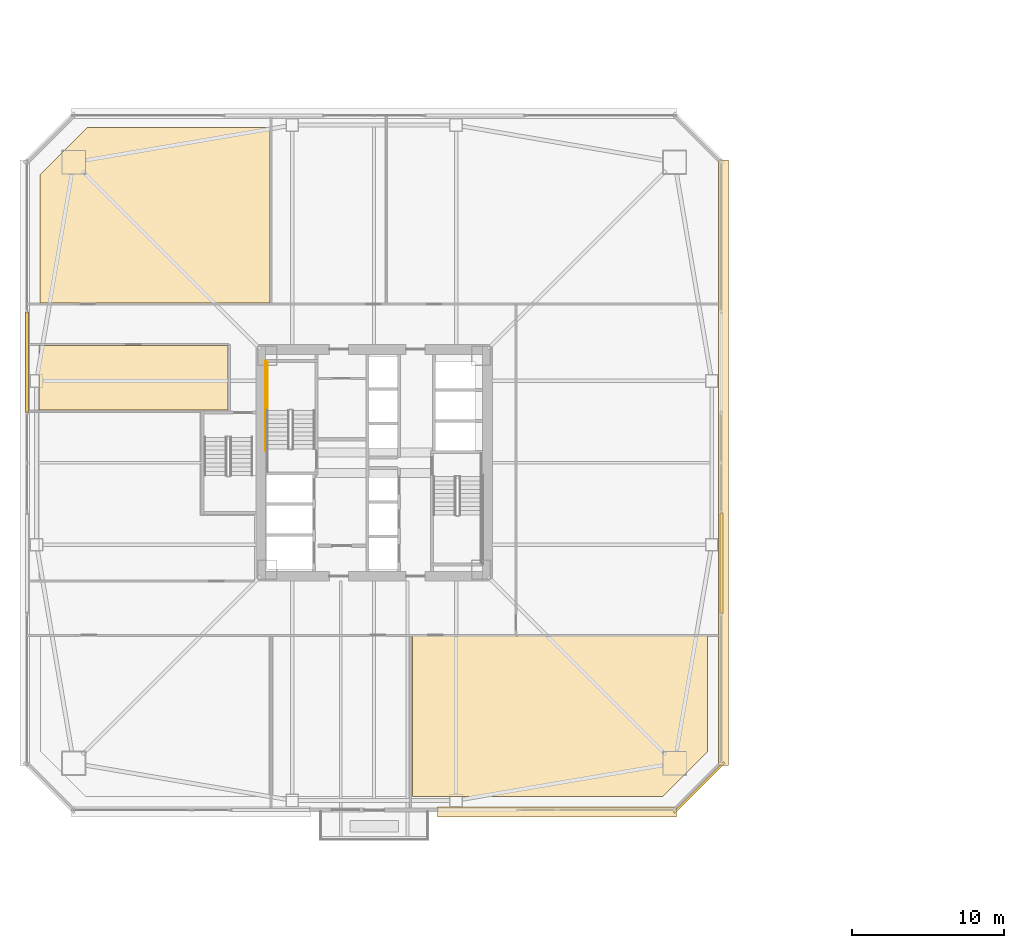
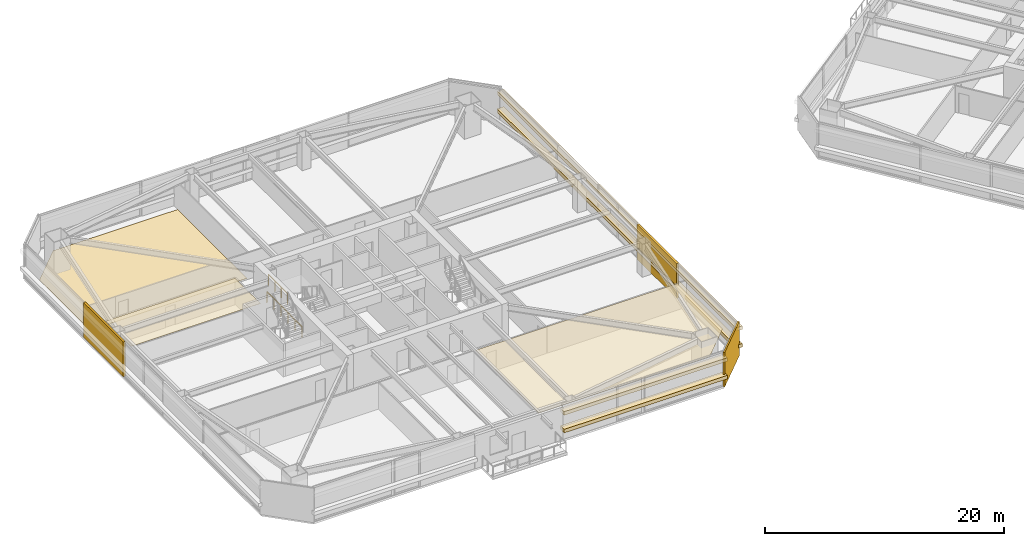
# One storey, part 40 of 45: 10 coverings, 2 railings.
"""IFC4 building model written with IfcOpenShell, lengths in metres."""

from ifc_helpers import new_model, si_unit, direction, frame, origin, origin_2d, place, context, subcontext, project, spatial, polyline, rectangle, outline, extrude, material, layer, layer_set, type_object, element, save


model = new_model("IFC4")

# Units and contexts
model_context = context("Model", 3, precision=1e-05, world=origin(), true_north=direction((0.0, 1.0)))
body_context = subcontext(model_context, "Body", "Model", "MODEL_VIEW")
ifc_project = project(units=[si_unit("LENGTHUNIT", "METRE"), si_unit("AREAUNIT", "SQUARE_METRE"), si_unit("VOLUMEUNIT", "CUBIC_METRE"), si_unit("PLANEANGLEUNIT", "RADIAN"), si_unit("MASSUNIT", "GRAM", prefix="KILO")], contexts=[model_context])

# Site, building, storey
site_placement = place(None, origin())
site = spatial("IfcSite", under=ifc_project, at=site_placement, CompositionType="ELEMENT")
building_placement = place(site_placement, origin())
building = spatial("IfcBuilding", under=site, at=building_placement, Name="Tashvorn Skyway Center", CompositionType="ELEMENT")
storey_placement = place(building_placement, frame((0.0, 0.0, 35.25)))
storey = spatial("IfcBuildingStorey", under=building, at=storey_placement, Name="L08", CompositionType="ELEMENT", Elevation=35.25)

# Coverings
ifc_material_1 = material(Name="Precast concrete C40/50", Category="concrete")
ifc_layer_1 = layer(ifc_material_1, 0.199951171875)
ifc_layer_set_1 = layer_set([ifc_layer_1], Name="Precast concrete C40/50")
covering_type_1 = type_object("IfcCoveringType", Name="COV-BRACE-CLAD", PredefinedType="CLADDING", material=ifc_layer_set_1)
for number, where, z_axis, x_axis, name in (
    (1, (19.1201171875, 38.626708984375, 0.0), (0.0, 0.0, 1.0), (0.0, 1.0, 0.0), "Tower 1 L08 West Unitised Curtain Wall Mega-Brace Cladding Band 2"),
    (2, (64.8798828125, 25.373291015625, 0.0), (0.0, 0.0, 1.0), (0.0, -1.0, 0.0), "Tower 1 L08 East Unitised Curtain Wall Mega-Brace Cladding Band 2"),
):
    element("IfcCovering", number, at=place(storey_placement, frame(where, z_axis=z_axis, x_axis=x_axis)), inside=storey, type_object=covering_type_1, Name=name, PredefinedType="CLADDING", context=body_context, shape_type="SweptSolid", body=[
        extrude(rectangle(XDim=6.626708984375, YDim=0.199951171875, at=origin_2d()), origin(), (0.0, 0.0, 1.0), 3.550048828125),
    ])
ifc_material_2 = material(Name="Mineral-fibre acoustic ceiling tile on suspended grid")
ifc_layer_2 = layer(ifc_material_2, 0.02001953125)
ifc_layer_set_2 = layer_set([ifc_layer_2], Name="Mineral-fibre acoustic ceiling tile on suspended grid")
covering_type_2 = type_object("IfcCoveringType", Name="COV-CEIL-20", PredefinedType="CEILING", material=ifc_layer_set_2)
covering_1_placement = place(storey_placement, frame((0.0, 0.0, 2.68310546875)))
element("IfcCovering", 3, at=covering_1_placement, inside=storey, type_object=covering_type_2, Name="Tower 1 L08 Reading Lounge Acoustic Ceiling", PredefinedType="CEILING", context=body_context, shape_type="SweptSolid", body=[
    extrude(outline(polyline([(44.52001953125, 10.02001953125), (44.52001953125, 20.590087890625), (63.97998046875, 20.590087890625), (63.97998046875, 12.97998046875), (61.02001953125, 10.02001953125), (44.52001953125, 10.02001953125)])), origin(), (0.0, 0.0, 1.0), 0.019775390625),
])
covering_2_placement = place(storey_placement, frame((0.0, 0.0, 2.68310546875)))
element("IfcCovering", 4, at=covering_2_placement, inside=storey, type_object=covering_type_2, Name="Tower 1 L08 Collaborative Studio Acoustic Ceiling", PredefinedType="CEILING", context=body_context, shape_type="SweptSolid", body=[
    extrude(outline(polyline([(32.3701171875, 39.719970703125), (32.3701171875, 35.47998046875), (19.89990234375, 35.47998046875), (19.89990234375, 39.719970703125), (32.3701171875, 39.719970703125)])), origin(), (0.0, 0.0, 1.0), 0.019775390625),
])
ifc_material_3 = material(Name="Polished Mojave desert-aggregate terrazzo and cover plate")
ifc_layer_3 = layer(ifc_material_3, 0.0400390625)
ifc_layer_set_3 = layer_set([ifc_layer_3], Name="Polished Mojave desert-aggregate terrazzo and cover plate")
covering_type_3 = type_object("IfcCoveringType", Name="COV-FLR-40", PredefinedType="FLOORING", material=ifc_layer_set_3)
covering_3_placement = place(storey_placement, origin())
element("IfcCovering", 5, at=covering_3_placement, inside=storey, type_object=covering_type_3, Name="Tower 1 L08 Gallery Showroom Finish Flooring", PredefinedType="FLOORING", context=body_context, shape_type="SweptSolid", body=[
    extrude(outline(polyline([(35.1201171875, 42.530029296875), (19.97998046875, 42.530029296875), (19.97998046875, 50.97998046875), (23.10009765625, 54.10009765625), (35.1201171875, 54.10009765625), (35.1201171875, 42.530029296875)])), origin(), (0.0, 0.0, 1.0), 0.0400390625),
])
ifc_material_4 = material(Name="Perforated ceramic-coated bronze aluminium solar screen", Category="aluminium")
ifc_layer_4 = layer(ifc_material_4, 0.85009765625)
ifc_layer_set_4 = layer_set([ifc_layer_4], Name="Perforated ceramic-coated bronze aluminium solar screen")
covering_type_4 = type_object("IfcCoveringType", Name="COV-SOLAR-BAND", PredefinedType="CLADDING", material=ifc_layer_set_4)
for number, where, z_axis, x_axis, name in (
    (6, (54.06494140625, 8.97998046875, 0.919921875), (0.0, 0.0, 1.0), (-1.0, 0.0, 0.0), "L08 Perforated Ceramic-Metal Solar Screen Louvre Band South 1"),
    (7, (54.06494140625, 8.97998046875, 2.7197265625), (0.0, 0.0, 1.0), (-1.0, 0.0, 0.0), "L08 Perforated Ceramic-Metal Solar Screen Louvre Band South 2"),
):
    element("IfcCovering", number, at=place(storey_placement, frame(where, z_axis=z_axis, x_axis=x_axis)), inside=storey, type_object=covering_type_4, Name=name, PredefinedType="CLADDING", context=body_context, shape_type="SweptSolid", body=[
        extrude(rectangle(XDim=15.75, YDim=0.639892578125, at=origin_2d()), origin(), (0.0, 0.0, 1.0), 0.360107421875),
    ])
for number, where, z_axis, x_axis, name in (
    (8, (65.02001953125, 32.0, 0.919921875), (0.0, 0.0, 1.0), (0.0, -1.0, 0.0), "L08 Perforated Ceramic-Metal Solar Screen Louvre Band East 1"),
    (9, (65.02001953125, 32.0, 2.7197265625), (0.0, 0.0, 1.0), (0.0, -1.0, 0.0), "L08 Perforated Ceramic-Metal Solar Screen Louvre Band East 2"),
):
    element("IfcCovering", number, at=place(storey_placement, frame(where, z_axis=z_axis, x_axis=x_axis)), inside=storey, type_object=covering_type_4, Name=name, PredefinedType="CLADDING", context=body_context, shape_type="SweptSolid", body=[
        extrude(rectangle(XDim=39.8798828125, YDim=0.639892578125, at=origin_2d()), origin(), (0.0, 0.0, 1.0), 0.360107421875),
    ])
ifc_layer_5 = layer(ifc_material_1, 0.35009765625)
ifc_layer_set_5 = layer_set([ifc_layer_5], Name="Precast concrete C40/50")
covering_type_5 = type_object("IfcCoveringType", Name="COV-STONE-TRIM", PredefinedType="CLADDING", material=ifc_layer_set_5)
covering_4_placement = place(storey_placement, frame((63.419921875, 10.580078125, 0.02001953125), z_axis=(0.0, 0.0, 1.0), x_axis=(0.707106781187, 0.707106781187, 0.0)))
element("IfcCovering", 10, at=covering_4_placement, inside=storey, type_object=covering_type_5, Name="Tower 1 L08 SE Mojave Limestone Corner Quoin", PredefinedType="CLADDING", context=body_context, shape_type="SweptSolid", body=[
    extrude(rectangle(XDim=4.685546875, YDim=0.139892578125, at=origin_2d()), origin(), (0.0, 0.0, 1.0), 3.510009765625),
])

# Railings
ifc_material_5 = material(Name="Painted galvanized steel S355", Category="steel")
railing_type = type_object("IfcRailingType", Name="RAIL-STGUARD-1100", PredefinedType="GUARDRAIL", material=ifc_material_5)
railing_1_placement = place(storey_placement, frame((34.949951171875, 35.43994140625, 1.77490234375)))
element("IfcRailing", 11, at=railing_1_placement, inside=storey, type_object=railing_type, Name="L08 ST-T1-1 stair guard 3", PredefinedType="GUARDRAIL", context=body_context, shape_type="SweptSolid", body=[
    extrude(rectangle(XDim=0.048095703125, YDim=0.048095703125, at=origin_2d()), frame((0.0, 0.0, 1.076171875), z_axis=(0.0, 1.0, 0.0), x_axis=(-1.0, 0.0, 0.0)), (0.0, 0.0, 1.0), 3.16015625),
    extrude(rectangle(XDim=0.0419921875, YDim=0.0419921875, at=origin_2d()), origin(), (0.0, 0.0, 1.0), 1.052001953125),
    extrude(rectangle(XDim=0.0419921875, YDim=0.0419921875, at=origin_2d()), frame((0.0, 1.053466796875, 0.0)), (0.0, 0.0, 1.0), 1.052001953125),
    extrude(rectangle(XDim=0.0419921875, YDim=0.0419921875, at=origin_2d()), frame((0.0, 2.106689453125, 0.0)), (0.0, 0.0, 1.0), 1.052001953125),
    extrude(rectangle(XDim=0.0419921875, YDim=0.0419921875, at=origin_2d()), frame((0.0, 3.16015625, 0.0)), (0.0, 0.0, 1.0), 1.052001953125),
])
railing_2_placement = place(storey_placement, frame((34.85009765625, 32.820068359375, 0.0)))
element("IfcRailing", 12, at=railing_2_placement, inside=storey, type_object=railing_type, Name="L08 ST-T1-1 stair guard 7", PredefinedType="GUARDRAIL", context=body_context, shape_type="SweptSolid", body=[
    extrude(rectangle(XDim=0.048095703125, YDim=0.048095703125, at=origin_2d()), frame((0.0, 0.0, 1.076171875), z_axis=(0.0, 1.0, 0.0), x_axis=(-1.0, 0.0, 0.0)), (0.0, 0.0, 1.0), 5.8798828125),
    extrude(rectangle(XDim=0.0419921875, YDim=0.0419921875, at=origin_2d()), origin(), (0.0, 0.0, 1.0), 1.052001953125),
    extrude(rectangle(XDim=0.0419921875, YDim=0.0419921875, at=origin_2d()), frame((0.0, 1.176025390625, 0.0)), (0.0, 0.0, 1.0), 1.052001953125),
    extrude(rectangle(XDim=0.0419921875, YDim=0.0419921875, at=origin_2d()), frame((0.0, 2.35205078125, 0.0)), (0.0, 0.0, 1.0), 1.052001953125),
    extrude(rectangle(XDim=0.0419921875, YDim=0.0419921875, at=origin_2d()), frame((0.0, 3.52783203125, 0.0)), (0.0, 0.0, 1.0), 1.052001953125),
    extrude(rectangle(XDim=0.0419921875, YDim=0.0419921875, at=origin_2d()), frame((0.0, 4.703857421875, 0.0)), (0.0, 0.0, 1.0), 1.052001953125),
    extrude(rectangle(XDim=0.0419921875, YDim=0.0419921875, at=origin_2d()), frame((0.0, 5.8798828125, 0.0)), (0.0, 0.0, 1.0), 1.052001953125),
])

save(model, "model.ifc")
